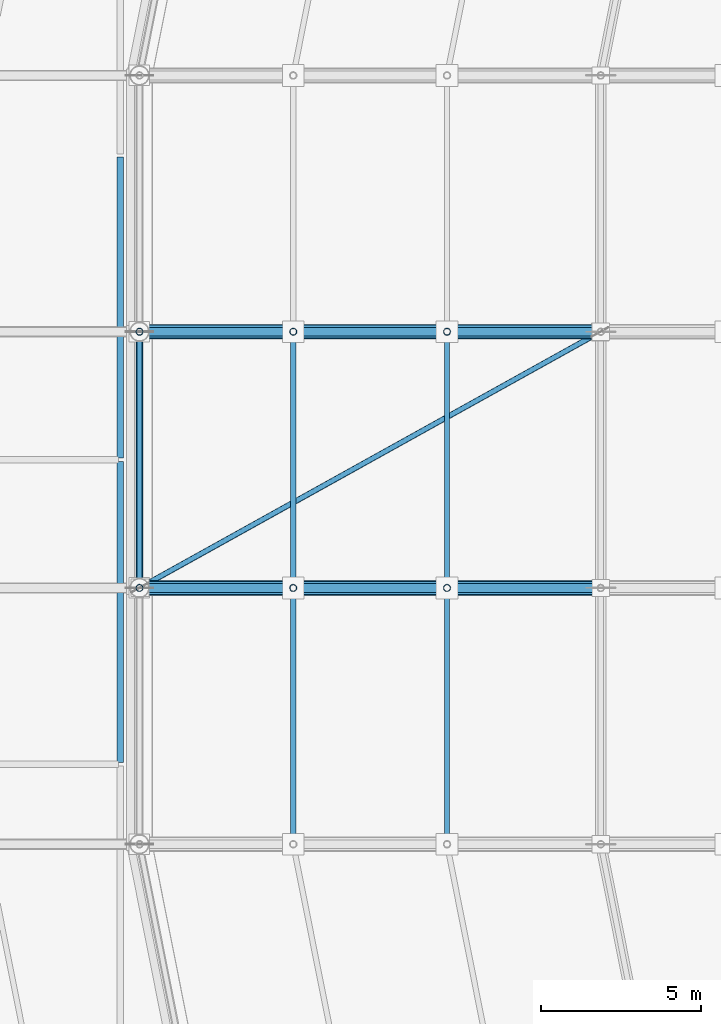
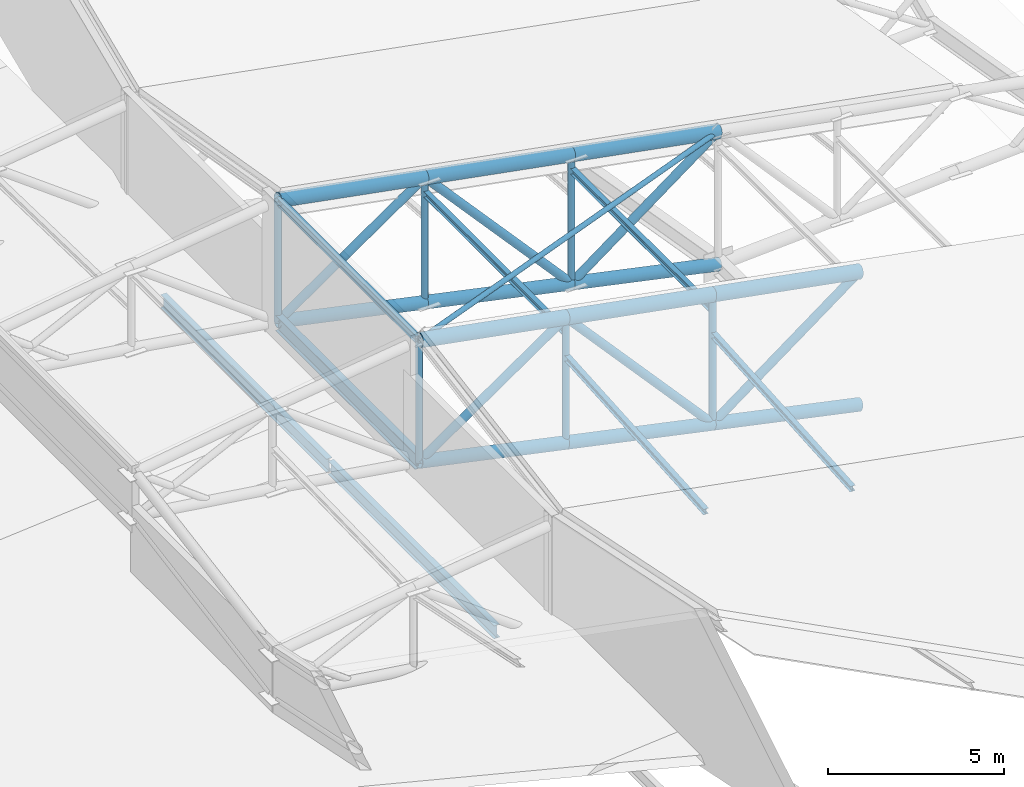
# One storey, part 38 of 146: 29 members, 4 beams.
"""IFC4 building model written with IfcOpenShell, lengths in metres."""

from ifc_helpers import new_model, si_unit, direction, frame, origin, origin_2d, place, context, subcontext, project, spatial, hollow_circle, i_section, extrude, material, material_profile, profile_set, type_object, element, save


model = new_model("IFC4")

# Units and contexts
model_context = context("Model", 3, precision=1e-05, world=origin(), true_north=direction((0.0, 1.0)))
body_context = subcontext(model_context, "Body", "Model", "MODEL_VIEW")
ifc_project = project(units=[si_unit("LENGTHUNIT", "METRE"), si_unit("AREAUNIT", "SQUARE_METRE"), si_unit("VOLUMEUNIT", "CUBIC_METRE"), si_unit("PLANEANGLEUNIT", "RADIAN"), si_unit("MASSUNIT", "GRAM", prefix="KILO")], contexts=[model_context])

# Site, building, storey
site_placement = place(None, origin())
site = spatial("IfcSite", under=ifc_project, at=site_placement, CompositionType="ELEMENT")
building_placement = place(site_placement, origin())
building = spatial("IfcBuilding", under=site, at=building_placement, Name="Candeia Ridge Stadium", CompositionType="ELEMENT")
storey_placement = place(building_placement, frame((0.0, 0.0, 31.800048828125)))
storey = spatial("IfcBuildingStorey", under=building, at=storey_placement, Name="RF", CompositionType="ELEMENT", Elevation=31.800048828125)

# Beams
ifc_material = material(Name="Steel ASTM A572 Grade 50", Category="steel")
ifc_material_profile_1 = material_profile(ifc_material, i_section(OverallWidth=0.14794921875, OverallDepth=0.26611328125, WebThickness=0.007568359375, FlangeThickness=0.012939453125, FilletRadius=0.010986328125, at=origin_2d()), Name="W250x44.8", Category="steel")
ifc_profile_set_1 = profile_set([ifc_material_profile_1], Name="Steel ASTM A572 Grade 50")
beam_type_1 = type_object("IfcBeamType", Name="Canopy Edge Spandrel W250x44.8", PredefinedType="SPANDREL", material=ifc_profile_set_1)
beam_1_placement = place(storey_placement, frame((19.0, 86.9599609375, 5.985595703125), z_axis=(0.0, -1.0, 0.0), x_axis=(1.0, 0.0, 0.0)))
element("IfcBeam", 1, at=beam_1_placement, inside=storey, type_object=beam_type_1, Name="Roof crown cap ring beam bay 13", PredefinedType="SPANDREL", context=body_context, shape_type="SweptSolid", body=[
    extrude(i_section(OverallWidth=0.14794921875, OverallDepth=0.26611328125, WebThickness=0.007568359375, FlangeThickness=0.012939453125, FilletRadius=0.010986328125, at=origin_2d()), origin(), (0.0, 0.0, 1.0), 7.919921875),
])
ifc_material_profile_2 = material_profile(ifc_material, i_section(OverallWidth=0.18994140625, OverallDepth=0.45703125, WebThickness=0.009033203125, FlangeThickness=0.014404296875, FilletRadius=0.012939453125, at=origin_2d()), Name="W460x74", Category="steel")
ifc_profile_set_2 = profile_set([ifc_material_profile_2], Name="Steel ASTM A572 Grade 50")
beam_type_2 = type_object("IfcBeamType", Name="Pavilion Steel Girder W460x74", PredefinedType="BEAM", material=ifc_profile_set_2)
for number, where, z_axis, x_axis, name in (
    (2, (18.39990234375, 73.550048828125, -0.57861328125), (0.0, 1.0, 0.0), (-1.0, 0.0, 0.0), "Structural girder BM-RF-1435"),
    (3, (18.39990234375, 83.050048828125, -0.57861328125), (0.0, 1.0, 0.0), (-1.0, 0.0, 0.0), "Structural girder BM-RF-1436"),
):
    element("IfcBeam", number, at=place(storey_placement, frame(where, z_axis=z_axis, x_axis=x_axis)), inside=storey, type_object=beam_type_2, Name=name, PredefinedType="BEAM", context=body_context, shape_type="SweptSolid", body=[
        extrude(i_section(OverallWidth=0.18994140625, OverallDepth=0.45703125, WebThickness=0.009033203125, FlangeThickness=0.014404296875, FilletRadius=0.012939453125, at=origin_2d()), origin(), (0.0, 0.0, 1.0), 9.39990234375),
    ])
ifc_material_profile_3 = material_profile(ifc_material, i_section(OverallWidth=0.2119140625, OverallDepth=0.5439453125, WebThickness=0.01318359375, FlangeThickness=0.021240234375, FilletRadius=0.013916015625, at=origin_2d()), Name="W530x123", Category="steel")
ifc_profile_set_3 = profile_set([ifc_material_profile_3], Name="Steel ASTM A572 Grade 50")
beam_type_3 = type_object("IfcBeamType", Name="Roof Perimeter Ring Beam W530x123", PredefinedType="BEAM", material=ifc_profile_set_3)
beam_2_placement = place(storey_placement, frame((19.0, 86.9599609375, 1.78564453125), z_axis=(0.0, -1.0, 0.0), x_axis=(1.0, 0.0, 0.0)))
element("IfcBeam", 4, at=beam_2_placement, inside=storey, type_object=beam_type_3, Name="Roof perimeter ring beam bay 13", PredefinedType="BEAM", context=body_context, shape_type="SweptSolid", body=[
    extrude(i_section(OverallWidth=0.2119140625, OverallDepth=0.5439453125, WebThickness=0.01318359375, FlangeThickness=0.021240234375, FilletRadius=0.013916015625, at=origin_2d()), origin(), (0.0, 0.0, 1.0), 7.919921875),
])

# Members
ifc_material_profile_4 = material_profile(ifc_material, hollow_circle(Radius=0.084228515625, WallThickness=0.008056640625, at=origin_2d()), Name="CHS168x8", Category="steel")
ifc_profile_set_4 = profile_set([ifc_material_profile_4], Name="Steel ASTM A572 Grade 50")
member_type_1 = type_object("IfcMemberType", Name="Roof Plan Wind Brace CHS168x8", PredefinedType="BRACE", material=ifc_profile_set_4)
member_1_placement = place(storey_placement, frame((33.3828125, 86.990478515625, 3.32470703125), z_axis=(-0.862941558777, -0.479420124682, 0.159650274619), x_axis=(0.485649238044, -0.874153772278, 0.0)))
element("IfcMember", 5, at=member_1_placement, inside=storey, type_object=member_type_1, Name="Roof plane wind brace bay 13", PredefinedType="BRACE", context=body_context, shape_type="SweptSolid", body=[
    extrude(hollow_circle(Radius=0.084228515625, WallThickness=0.008056640625, at=origin_2d()), origin(), (0.0, 0.0, 1.0), 16.647216796875),
])
ifc_material_profile_5 = material_profile(ifc_material, i_section(OverallWidth=0.1650390625, OverallDepth=0.200927734375, WebThickness=0.006103515625, FlangeThickness=0.01025390625, FilletRadius=0.010009765625, at=origin_2d()), Name="W200x35.9", Category="steel")
ifc_profile_set_5 = profile_set([ifc_material_profile_5], Name="Steel ASTM A572 Grade 50")
member_type_2 = type_object("IfcMemberType", Name="Roof Purlin W200x35.9", PredefinedType="PURLIN", material=ifc_profile_set_5)
for number, where, z_axis, x_axis, name in (
    (6, (28.60009765625, 86.949951171875, 3.689453125), (0.0, -1.0, 0.0), (1.0, 0.0, 0.0), "Saddle roof steel purlin bay 13-3"),
    (7, (23.800048828125, 86.949951171875, 4.57763671875), (0.0, -1.0, 0.0), (1.0, 0.0, 0.0), "Saddle roof steel purlin bay 13-4"),
):
    element("IfcMember", number, at=place(storey_placement, frame(where, z_axis=z_axis, x_axis=x_axis)), inside=storey, type_object=member_type_2, Name=name, PredefinedType="PURLIN", context=body_context, shape_type="SweptSolid", body=[
        extrude(i_section(OverallWidth=0.1650390625, OverallDepth=0.200927734375, WebThickness=0.006103515625, FlangeThickness=0.01025390625, FilletRadius=0.010009765625, at=origin_2d()), origin(), (0.0, 0.0, 1.0), 7.89990234375),
    ])
for number, where, z_axis, x_axis, name in (
    (8, (28.60009765625, 78.9501953125, 2.8603515625), (0.0, -0.997559396595, -0.069822992376), (1.0, 0.0, 0.0), "Saddle roof steel purlin bay 14-3"),
    (9, (23.800048828125, 78.9501953125, 3.74853515625), (0.0, -0.997559396595, -0.069822992376), (1.0, 0.0, 0.0), "Saddle roof steel purlin bay 14-4"),
):
    element("IfcMember", number, at=place(storey_placement, frame(where, z_axis=z_axis, x_axis=x_axis)), inside=storey, type_object=member_type_2, Name=name, PredefinedType="PURLIN", context=body_context, shape_type="SweptSolid", body=[
        extrude(i_section(OverallWidth=0.1650390625, OverallDepth=0.200927734375, WebThickness=0.006103515625, FlangeThickness=0.01025390625, FilletRadius=0.010009765625, at=origin_2d()), origin(), (0.0, 0.0, 1.0), 7.919677734375),
    ])
ifc_material_profile_6 = material_profile(ifc_material, hollow_circle(Radius=0.136474609375, WallThickness=0.010009765625, at=origin_2d()), Name="CHS273x10", Category="steel")
ifc_profile_set_6 = profile_set([ifc_material_profile_6], Name="Steel ASTM A572 Grade 50")
member_type_3 = type_object("IfcMemberType", Name="Roof Truss Heavy Web Brace CHS273x10", PredefinedType="BRACE", material=ifc_profile_set_6)
member_2_placement = place(storey_placement, frame((33.39990234375, 87.0, 3.321533203125), z_axis=(-0.801699676117, 0.0, -0.597727052519), x_axis=(0.0, -1.0, 0.0)))
element("IfcMember", 10, at=member_2_placement, inside=storey, type_object=member_type_3, Name="Roof cantilever truss RT-13 diagonal web 4", PredefinedType="BRACE", context=body_context, shape_type="SweptSolid", body=[
    extrude(hollow_circle(Radius=0.136474609375, WallThickness=0.010009765625, at=origin_2d()), origin(), (0.0, 0.0, 1.0), 5.987060546875),
])
member_3_placement = place(storey_placement, frame((28.60009765625, 87.0, -0.257080078125), z_axis=(-0.667487252066, 0.0, 0.744621224737), x_axis=(0.0, -1.0, 0.0)))
element("IfcMember", 11, at=member_3_placement, inside=storey, type_object=member_type_3, Name="Roof cantilever truss RT-13 diagonal web 5", PredefinedType="BRACE", context=body_context, shape_type="SweptSolid", body=[
    extrude(hollow_circle(Radius=0.136474609375, WallThickness=0.010009765625, at=origin_2d()), origin(), (0.0, 0.0, 1.0), 7.191162109375),
])
member_4_placement = place(storey_placement, frame((23.800048828125, 87.0, 5.09765625), z_axis=(-0.823081876777, 0.0, -0.567922727245), x_axis=(0.0, -1.0, 0.0)))
element("IfcMember", 12, at=member_4_placement, inside=storey, type_object=member_type_3, Name="Roof cantilever truss RT-13 diagonal web 6", PredefinedType="BRACE", context=body_context, shape_type="SweptSolid", body=[
    extrude(hollow_circle(Radius=0.136474609375, WallThickness=0.010009765625, at=origin_2d()), origin(), (0.0, 0.0, 1.0), 5.831787109375),
])
member_5_placement = place(storey_placement, frame((33.39990234375, 79.0, 3.321533203125), z_axis=(-0.801699676117, 0.0, -0.597727052519), x_axis=(0.0, -1.0, 0.0)))
element("IfcMember", 13, at=member_5_placement, inside=storey, type_object=member_type_3, Name="Roof cantilever truss RT-14 diagonal web 4", PredefinedType="BRACE", context=body_context, shape_type="SweptSolid", body=[
    extrude(hollow_circle(Radius=0.136474609375, WallThickness=0.010009765625, at=origin_2d()), origin(), (0.0, 0.0, 1.0), 5.987060546875),
])
member_6_placement = place(storey_placement, frame((28.60009765625, 79.0, -0.257080078125), z_axis=(-0.667487252066, 0.0, 0.744621224737), x_axis=(0.0, -1.0, 0.0)))
element("IfcMember", 14, at=member_6_placement, inside=storey, type_object=member_type_3, Name="Roof cantilever truss RT-14 diagonal web 5", PredefinedType="BRACE", context=body_context, shape_type="SweptSolid", body=[
    extrude(hollow_circle(Radius=0.136474609375, WallThickness=0.010009765625, at=origin_2d()), origin(), (0.0, 0.0, 1.0), 7.191162109375),
])
member_7_placement = place(storey_placement, frame((23.800048828125, 79.0, 5.09765625), z_axis=(-0.823081876777, 0.0, -0.567922727245), x_axis=(0.0, -1.0, 0.0)))
element("IfcMember", 15, at=member_7_placement, inside=storey, type_object=member_type_3, Name="Roof cantilever truss RT-14 diagonal web 6", PredefinedType="BRACE", context=body_context, shape_type="SweptSolid", body=[
    extrude(hollow_circle(Radius=0.136474609375, WallThickness=0.010009765625, at=origin_2d()), origin(), (0.0, 0.0, 1.0), 5.831787109375),
])
ifc_material_profile_7 = material_profile(ifc_material, hollow_circle(Radius=0.109619140625, WallThickness=0.010009765625, at=origin_2d()), Name="CHS219x10", Category="steel")
ifc_profile_set_7 = profile_set([ifc_material_profile_7], Name="Steel ASTM A572 Grade 50")
member_type_4 = type_object("IfcMemberType", Name="Roof Truss Inner Web Brace CHS219x10", PredefinedType="BRACE", material=ifc_profile_set_7)
member_8_placement = place(storey_placement, frame((28.60009765625, 87.0, -0.257080078125), z_axis=(0.0, 0.0, 1.0), x_axis=(1.0, 0.0, 0.0)))
element("IfcMember", 16, at=member_8_placement, inside=storey, type_object=member_type_4, Name="Roof cantilever truss RT-13 vertical post 4", PredefinedType="BRACE", context=body_context, shape_type="SweptSolid", body=[
    extrude(hollow_circle(Radius=0.109619140625, WallThickness=0.010009765625, at=origin_2d()), origin(), (0.0, 0.0, 1.0), 4.466552734375),
])
member_9_placement = place(storey_placement, frame((23.800048828125, 87.0, 0.76416015625), z_axis=(0.0, 0.0, 1.0), x_axis=(1.0, 0.0, 0.0)))
element("IfcMember", 17, at=member_9_placement, inside=storey, type_object=member_type_4, Name="Roof cantilever truss RT-13 vertical post 5", PredefinedType="BRACE", context=body_context, shape_type="SweptSolid", body=[
    extrude(hollow_circle(Radius=0.109619140625, WallThickness=0.010009765625, at=origin_2d()), origin(), (0.0, 0.0, 1.0), 4.33349609375),
])
member_10_placement = place(storey_placement, frame((19.0, 87.0, 1.78564453125), z_axis=(0.0, 0.0, 1.0), x_axis=(1.0, 0.0, 0.0)))
element("IfcMember", 18, at=member_10_placement, inside=storey, type_object=member_type_4, Name="Roof cantilever truss RT-13 vertical post 6", PredefinedType="BRACE", context=body_context, shape_type="SweptSolid", body=[
    extrude(hollow_circle(Radius=0.109619140625, WallThickness=0.010009765625, at=origin_2d()), origin(), (0.0, 0.0, 1.0), 4.199951171875),
])
member_11_placement = place(storey_placement, frame((28.60009765625, 79.0, -0.257080078125), z_axis=(0.0, 0.0, 1.0), x_axis=(1.0, 0.0, 0.0)))
element("IfcMember", 19, at=member_11_placement, inside=storey, type_object=member_type_4, Name="Roof cantilever truss RT-14 vertical post 4", PredefinedType="BRACE", context=body_context, shape_type="SweptSolid", body=[
    extrude(hollow_circle(Radius=0.109619140625, WallThickness=0.010009765625, at=origin_2d()), origin(), (0.0, 0.0, 1.0), 4.466552734375),
])
member_12_placement = place(storey_placement, frame((23.800048828125, 79.0, 0.76416015625), z_axis=(0.0, 0.0, 1.0), x_axis=(1.0, 0.0, 0.0)))
element("IfcMember", 20, at=member_12_placement, inside=storey, type_object=member_type_4, Name="Roof cantilever truss RT-14 vertical post 5", PredefinedType="BRACE", context=body_context, shape_type="SweptSolid", body=[
    extrude(hollow_circle(Radius=0.109619140625, WallThickness=0.010009765625, at=origin_2d()), origin(), (0.0, 0.0, 1.0), 4.33349609375),
])
member_13_placement = place(storey_placement, frame((19.0, 79.0, 1.78564453125), z_axis=(0.0, 0.0, 1.0), x_axis=(1.0, 0.0, 0.0)))
element("IfcMember", 21, at=member_13_placement, inside=storey, type_object=member_type_4, Name="Roof cantilever truss RT-14 vertical post 6", PredefinedType="BRACE", context=body_context, shape_type="SweptSolid", body=[
    extrude(hollow_circle(Radius=0.109619140625, WallThickness=0.010009765625, at=origin_2d()), origin(), (0.0, 0.0, 1.0), 4.199951171875),
])
ifc_material_profile_8 = material_profile(ifc_material, hollow_circle(Radius=0.228515625, WallThickness=0.02001953125, at=origin_2d()), Name="CHS457x20", Category="steel")
ifc_profile_set_8 = profile_set([ifc_material_profile_8], Name="Steel ASTM A572 Grade 50")
member_type_5 = type_object("IfcMemberType", Name="Roof Truss Main Chord CHS457x20", PredefinedType="CHORD", material=ifc_profile_set_8)
member_14_placement = place(storey_placement, frame((33.39990234375, 87.0, 3.321533203125), z_axis=(-0.983315487156, 0.0, 0.181908363519), x_axis=(0.0, -1.0, 0.0)))
element("IfcMember", 22, at=member_14_placement, inside=storey, type_object=member_type_5, Name="Roof cantilever truss RT-13 top chord 4", PredefinedType="CHORD", context=body_context, shape_type="SweptSolid", body=[
    extrude(hollow_circle(Radius=0.228515625, WallThickness=0.02001953125, at=origin_2d()), origin(), (0.0, 0.0, 1.0), 4.88134765625),
])
for number, where, z_axis, x_axis, name in (
    (23, (28.60009765625, 87.0, 4.20947265625), (-0.983308195319, 0.0, 0.181947775524), (0.0, -1.0, 0.0), "Roof cantilever truss RT-13 top chord 5"),
    (24, (23.800048828125, 87.0, 5.09765625), (-0.983317142098, 0.0, 0.181899417416), (0.0, -1.0, 0.0), "Roof cantilever truss RT-13 top chord 6"),
):
    element("IfcMember", number, at=place(storey_placement, frame(where, z_axis=z_axis, x_axis=x_axis)), inside=storey, type_object=member_type_5, Name=name, PredefinedType="CHORD", context=body_context, shape_type="SweptSolid", body=[
        extrude(hollow_circle(Radius=0.228515625, WallThickness=0.02001953125, at=origin_2d()), origin(), (0.0, 0.0, 1.0), 4.881591796875),
    ])
member_15_placement = place(storey_placement, frame((33.39990234375, 79.0, 3.321533203125), z_axis=(-0.983315487156, 0.0, 0.181908363519), x_axis=(0.0, -1.0, 0.0)))
element("IfcMember", 25, at=member_15_placement, inside=storey, type_object=member_type_5, Name="Roof cantilever truss RT-14 top chord 4", PredefinedType="CHORD", context=body_context, shape_type="SweptSolid", body=[
    extrude(hollow_circle(Radius=0.228515625, WallThickness=0.02001953125, at=origin_2d()), origin(), (0.0, 0.0, 1.0), 4.88134765625),
])
for number, where, z_axis, x_axis, name in (
    (26, (28.60009765625, 79.0, 4.20947265625), (-0.983308195319, 0.0, 0.181947775524), (0.0, -1.0, 0.0), "Roof cantilever truss RT-14 top chord 5"),
    (27, (23.800048828125, 79.0, 5.09765625), (-0.983317142098, 0.0, 0.181899417416), (0.0, -1.0, 0.0), "Roof cantilever truss RT-14 top chord 6"),
):
    element("IfcMember", number, at=place(storey_placement, frame(where, z_axis=z_axis, x_axis=x_axis)), inside=storey, type_object=member_type_5, Name=name, PredefinedType="CHORD", context=body_context, shape_type="SweptSolid", body=[
        extrude(hollow_circle(Radius=0.228515625, WallThickness=0.02001953125, at=origin_2d()), origin(), (0.0, 0.0, 1.0), 4.881591796875),
    ])
ifc_material_profile_9 = material_profile(ifc_material, hollow_circle(Radius=0.202880859375, WallThickness=0.01611328125, at=origin_2d()), Name="CHS406x16", Category="steel")
ifc_profile_set_9 = profile_set([ifc_material_profile_9], Name="Steel ASTM A572 Grade 50")
member_type_6 = type_object("IfcMemberType", Name="Roof Truss Outer Chord CHS406x16", PredefinedType="CHORD", material=ifc_profile_set_9)
member_16_placement = place(storey_placement, frame((33.39990234375, 87.0, -1.278564453125), z_axis=(-0.978095585526, 0.0, 0.208156252789), x_axis=(0.0, -1.0, 0.0)))
element("IfcMember", 28, at=member_16_placement, inside=storey, type_object=member_type_6, Name="Roof cantilever truss RT-13 bottom chord 4", PredefinedType="CHORD", context=body_context, shape_type="SweptSolid", body=[
    extrude(hollow_circle(Radius=0.202880859375, WallThickness=0.01611328125, at=origin_2d()), origin(), (0.0, 0.0, 1.0), 4.9072265625),
])
for number, where, z_axis, x_axis, name in (
    (29, (28.60009765625, 87.0, -0.257080078125), (-0.97810786804, 0.0, 0.208098530696), (0.0, -1.0, 0.0), "Roof cantilever truss RT-13 bottom chord 5"),
    (30, (23.800048828125, 87.0, 0.76416015625), (-0.978097741011, 0.0, 0.208146124225), (0.0, -1.0, 0.0), "Roof cantilever truss RT-13 bottom chord 6"),
):
    element("IfcMember", number, at=place(storey_placement, frame(where, z_axis=z_axis, x_axis=x_axis)), inside=storey, type_object=member_type_6, Name=name, PredefinedType="CHORD", context=body_context, shape_type="SweptSolid", body=[
        extrude(hollow_circle(Radius=0.202880859375, WallThickness=0.01611328125, at=origin_2d()), origin(), (0.0, 0.0, 1.0), 4.907470703125),
    ])
member_17_placement = place(storey_placement, frame((33.39990234375, 79.0, -1.278564453125), z_axis=(-0.978095585526, 0.0, 0.208156252789), x_axis=(0.0, -1.0, 0.0)))
element("IfcMember", 31, at=member_17_placement, inside=storey, type_object=member_type_6, Name="Roof cantilever truss RT-14 bottom chord 4", PredefinedType="CHORD", context=body_context, shape_type="SweptSolid", body=[
    extrude(hollow_circle(Radius=0.202880859375, WallThickness=0.01611328125, at=origin_2d()), origin(), (0.0, 0.0, 1.0), 4.9072265625),
])
for number, where, z_axis, x_axis, name in (
    (32, (28.60009765625, 79.0, -0.257080078125), (-0.97810786804, 0.0, 0.208098530696), (0.0, -1.0, 0.0), "Roof cantilever truss RT-14 bottom chord 5"),
    (33, (23.800048828125, 79.0, 0.76416015625), (-0.978097741011, 0.0, 0.208146124225), (0.0, -1.0, 0.0), "Roof cantilever truss RT-14 bottom chord 6"),
):
    element("IfcMember", number, at=place(storey_placement, frame(where, z_axis=z_axis, x_axis=x_axis)), inside=storey, type_object=member_type_6, Name=name, PredefinedType="CHORD", context=body_context, shape_type="SweptSolid", body=[
        extrude(hollow_circle(Radius=0.202880859375, WallThickness=0.01611328125, at=origin_2d()), origin(), (0.0, 0.0, 1.0), 4.907470703125),
    ])

save(model, "model.ifc")
